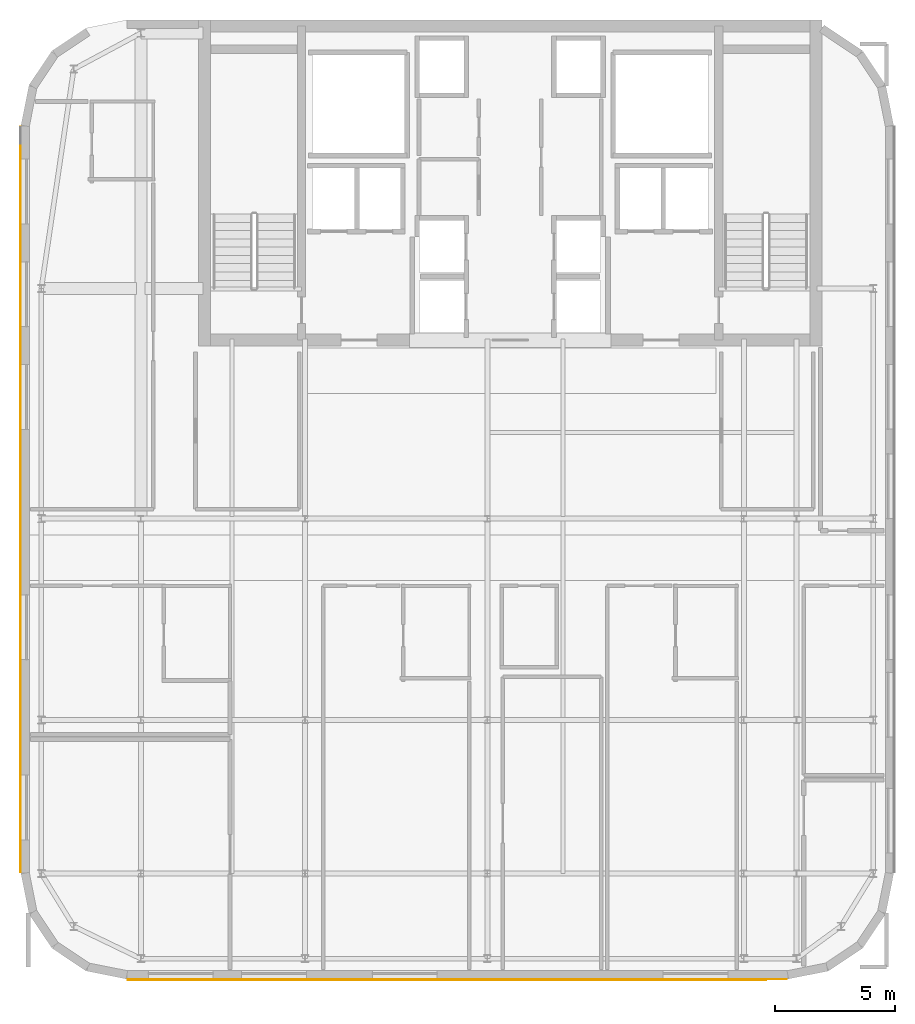
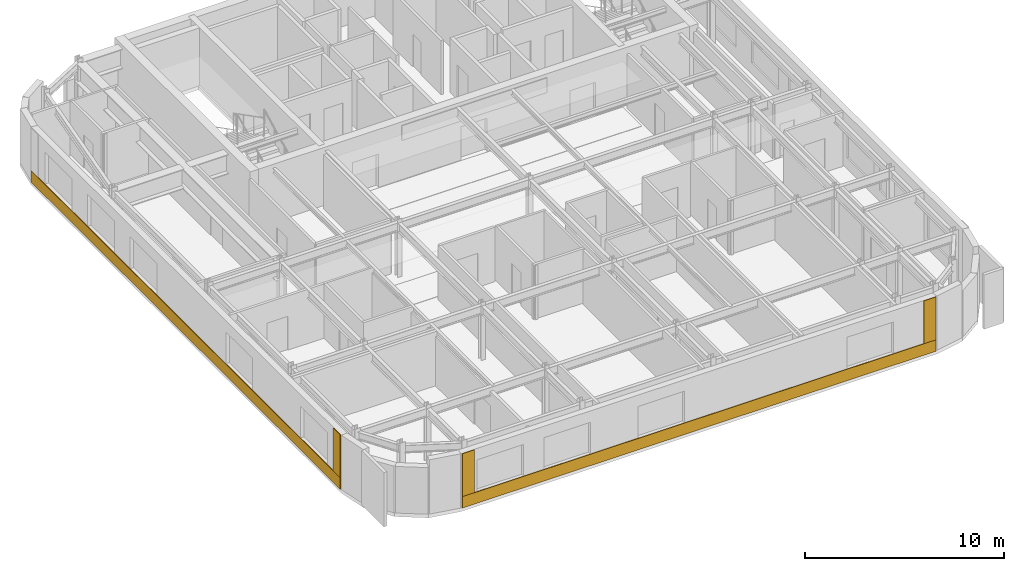
# One storey, part 11 of 15: 5 coverings.
"""IFC4 building model written with IfcOpenShell, lengths in metres."""

from ifc_helpers import new_model, si_unit, direction, frame, origin, place, context, subcontext, project, spatial, polyline, outline, extrude, material, layer, layer_set, type_object, element, save


model = new_model("IFC4")

# Units and contexts
model_context = context("Model", 3, precision=1e-05, world=origin(), true_north=direction((0.0, 1.0)))
body_context = subcontext(model_context, "Body", "Model", "MODEL_VIEW")
ifc_project = project(units=[si_unit("LENGTHUNIT", "METRE"), si_unit("AREAUNIT", "SQUARE_METRE"), si_unit("VOLUMEUNIT", "CUBIC_METRE"), si_unit("PLANEANGLEUNIT", "RADIAN"), si_unit("MASSUNIT", "GRAM", prefix="KILO")], contexts=[model_context])

# Site, building, storey
site_placement = place(None, origin())
site = spatial("IfcSite", under=ifc_project, at=site_placement, CompositionType="ELEMENT")
building_placement = place(site_placement, origin())
building = spatial("IfcBuilding", under=site, at=building_placement, Name="Tolvann Quenvar Hotel", CompositionType="ELEMENT")
storey_placement = place(building_placement, frame((0.0, 0.0, 278.60009765625)))
storey = spatial("IfcBuildingStorey", under=building, at=storey_placement, Name="L74", CompositionType="ELEMENT", Elevation=278.60009765625)

# Coverings
ifc_material_1 = material(Name="Kiln-fired red architectural face brick cladding", Category="masonry")
ifc_layer_1 = layer(ifc_material_1, 0.0400390625)
ifc_layer_set_1 = layer_set([ifc_layer_1], Name="Kiln-fired red architectural face brick cladding")
covering_type_1 = type_object("IfcCoveringType", Name="COV_CLAD_BRICK_40", PredefinedType="CLADDING", material=ifc_layer_set_1)
covering_1_placement = place(storey_placement, frame((0.0, 0.0, 0.699951171875)))
element("IfcCovering", 1, at=covering_1_placement, inside=storey, type_object=covering_type_1, Name="Brick Pier Cladding (L74-E04-P1)", PredefinedType="CLADDING", context=body_context, shape_type="SweptSolid", body=[
    extrude(outline(polyline([(7.067138671875, 5.199951171875), (7.76708984375, 5.199951171875), (7.76708984375, 5.159912109375), (7.067138671875, 5.159912109375), (7.067138671875, 5.199951171875)])), origin(), (0.0, 0.0, 1.0), 2.6298828125),
])
covering_2_placement = place(storey_placement, frame((0.0, 0.0, 0.699951171875)))
element("IfcCovering", 2, at=covering_2_placement, inside=storey, type_object=covering_type_1, Name="Brick Pier Cladding (L74-E04-P2)", PredefinedType="CLADDING", context=body_context, shape_type="SweptSolid", body=[
    extrude(outline(polyline([(33.832763671875, 5.199951171875), (34.53271484375, 5.199951171875), (34.53271484375, 5.159912109375), (33.832763671875, 5.159912109375), (33.832763671875, 5.199951171875)])), origin(), (0.0, 0.0, 1.0), 2.6298828125),
])
covering_3_placement = place(storey_placement, frame((0.0, 0.0, 0.699951171875)))
element("IfcCovering", 3, at=covering_3_placement, inside=storey, type_object=covering_type_1, Name="Brick Pier Cladding (L74-E19-P2)", PredefinedType="CLADDING", context=body_context, shape_type="SweptSolid", body=[
    extrude(outline(polyline([(2.60009765625, 10.3671875), (2.60009765625, 9.667236328125), (2.56005859375, 9.667236328125), (2.56005859375, 10.3671875), (2.60009765625, 10.3671875)])), origin(), (0.0, 0.0, 1.0), 2.6298828125),
])
ifc_material_2 = material(Name="Moulded buff architectural terracotta spandrel cladding", Category="masonry")
ifc_layer_2 = layer(ifc_material_2, 0.0400390625)
ifc_layer_set_2 = layer_set([ifc_layer_2], Name="Moulded buff architectural terracotta spandrel cladding")
covering_type_2 = type_object("IfcCoveringType", Name="COV_CLAD_TERRA_40", PredefinedType="CLADDING", material=ifc_layer_set_2)
covering_4_placement = place(storey_placement, origin())
element("IfcCovering", 4, at=covering_4_placement, inside=storey, type_object=covering_type_2, Name="Terracotta Spandrel Cladding (L74-E04)", PredefinedType="CLADDING", context=body_context, shape_type="SweptSolid", body=[
    extrude(outline(polyline([(7.05712890625, 5.199951171875), (34.542724609375, 5.199951171875), (34.542724609375, 5.159912109375), (7.05712890625, 5.159912109375), (7.05712890625, 5.199951171875)])), origin(), (0.0, 0.0, 1.0), 0.699951171875),
])
covering_5_placement = place(storey_placement, origin())
element("IfcCovering", 5, at=covering_5_placement, inside=storey, type_object=covering_type_2, Name="Terracotta Spandrel Cladding (L74-E19)", PredefinedType="CLADDING", context=body_context, shape_type="SweptSolid", body=[
    extrude(outline(polyline([(2.60009765625, 40.742919921875), (2.60009765625, 9.6572265625), (2.56005859375, 9.6572265625), (2.56005859375, 40.742919921875), (2.60009765625, 40.742919921875)])), origin(), (0.0, 0.0, 1.0), 0.699951171875),
])

save(model, "model.ifc")
